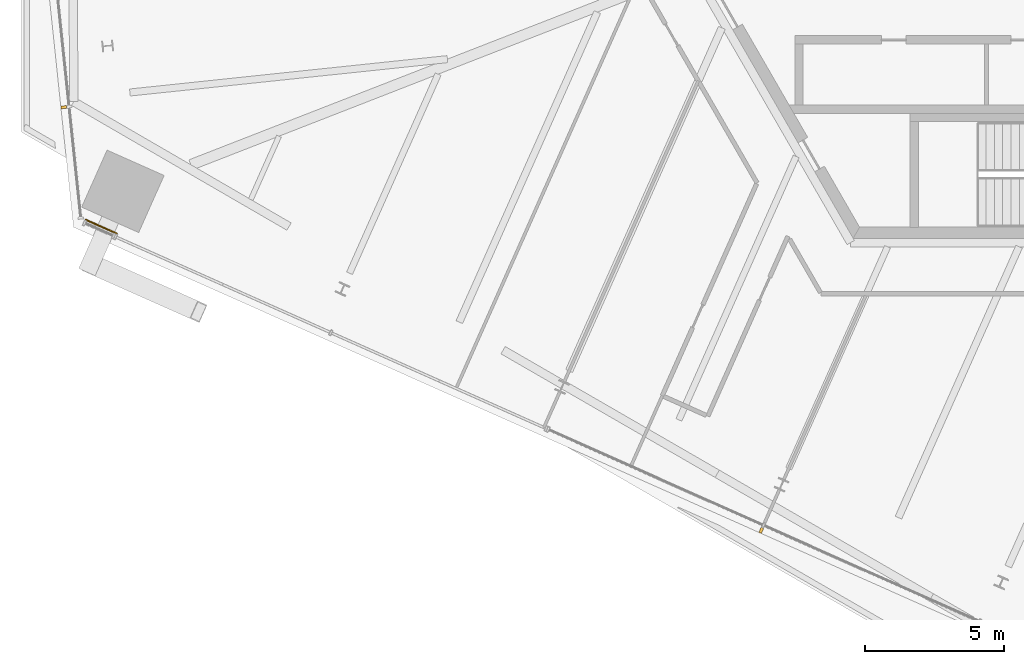
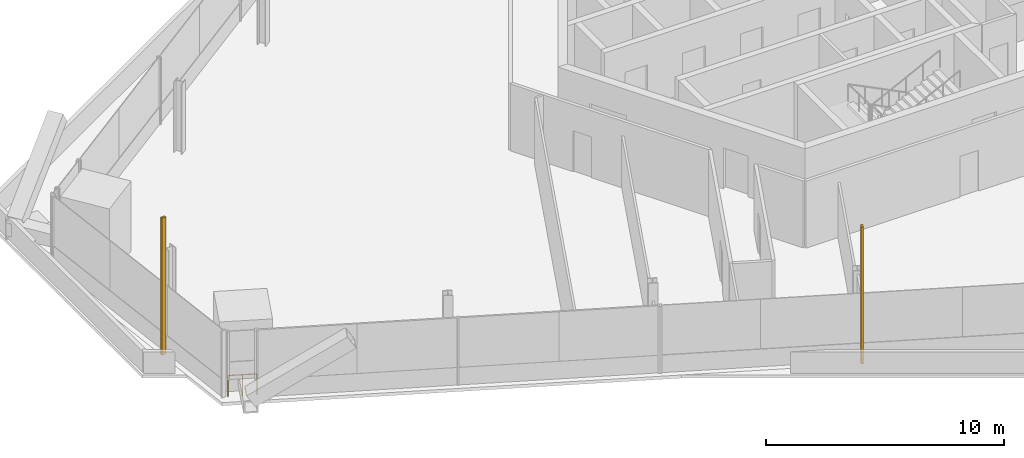
# One storey, part 20 of 24: 2 shading devices, 1 railing.
"""IFC4 building model written with IfcOpenShell, lengths in metres."""

from ifc_helpers import new_model, si_unit, direction, frame, origin, origin_2d, place, context, subcontext, project, spatial, rectangle, circle, extrude, source, transform, mapped, material, type_object, element, save


model = new_model("IFC4")

# Units and contexts
model_context = context("Model", 3, precision=1e-05, world=origin(), true_north=direction((0.0, 1.0)))
body_context = subcontext(model_context, "Body", "Model", "MODEL_VIEW")
ifc_project = project(units=[si_unit("LENGTHUNIT", "METRE"), si_unit("AREAUNIT", "SQUARE_METRE"), si_unit("VOLUMEUNIT", "CUBIC_METRE"), si_unit("PLANEANGLEUNIT", "RADIAN"), si_unit("MASSUNIT", "GRAM", prefix="KILO")], contexts=[model_context])

# Site, building, storey
site_placement = place(None, origin())
site = spatial("IfcSite", under=ifc_project, at=site_placement, CompositionType="ELEMENT")
building_placement = place(site_placement, origin())
building = spatial("IfcBuilding", under=site, at=building_placement, Name="Triune Harvest Tower", CompositionType="ELEMENT")
storey_placement = place(building_placement, frame((0.0, 0.0, 58.5)))
storey = spatial("IfcBuildingStorey", under=building, at=storey_placement, Name="L13", CompositionType="ELEMENT", Elevation=58.5)

# Railing
ifc_material_1 = material(Name="Glass", Category="glass")
railing_type = type_object("IfcRailingType", Name="GD-3 facade guard 1100", PredefinedType="GUARDRAIL", material=ifc_material_1)
railing_placement = place(storey_placement, frame((-33.651611328125, -9.727294921875, 0.0)))
element("IfcRailing", 1, at=railing_placement, inside=storey, type_object=railing_type, Name="Facade guard B2-F5 L13.1.1", PredefinedType="GUARDRAIL", context=body_context, shape_type="SweptSolid", body=[
    extrude(circle(Radius=0.02392578125, at=origin_2d()), frame((0.0, 0.0, 1.076171875), z_axis=(0.91348160996, -0.406880017038, 0.0), x_axis=(0.406880017038, 0.91348160996, 0.0)), (0.0, 0.0, 1.0), 1.2216796875),
    extrude(circle(Radius=0.02099609375, at=origin_2d()), origin(), (0.0, 0.0, 1.0), 1.052001953125),
    extrude(circle(Radius=0.02099609375, at=origin_2d()), frame((0.55810546875, -0.24853515625, 0.0)), (0.0, 0.0, 1.0), 1.052001953125),
    extrude(circle(Radius=0.02099609375, at=origin_2d()), frame((1.115966796875, -0.4970703125, 0.0)), (0.0, 0.0, 1.0), 1.052001953125),
])

# Shading devices
ifc_material_2 = material(Name="Aluminium bronze anodised", Category="aluminium")
shared_shape = source(origin(), body_context, "Body", "SweptSolid", [
    extrude(rectangle(XDim=0.10009765625, YDim=0.199951171875, at=origin_2d()), origin(), (0.0, 0.0, 1.0), 7.0400390625),
])
for number, where, z_axis, x_axis, name in (
    (2, (-34.45263671875, -5.669189453125, 0.0), (0.0, 0.0, 1.0), (0.104529462601, -0.994521790334, 0.0), "FN-1 fin B2-F4.3 L13"),
    (3, (-9.3134765625, -20.918212890625, 0.0), (0.0, 0.0, 1.0), (0.913545207137, -0.406737205721, 0.0), "FN-1 fin B2-F5.7 L13"),
):
    element("IfcShadingDevice", number, at=place(storey_placement, frame(where, z_axis=z_axis, x_axis=x_axis)), inside=storey, material=ifc_material_2, Name=name, ObjectType="FIN", PredefinedType="USERDEFINED", context=body_context, shape_type="MappedRepresentation", body=[
        mapped(shared_shape, transform((0.0, 0.0, 0.0), scale=1.0)),
    ])

save(model, "model.ifc")
